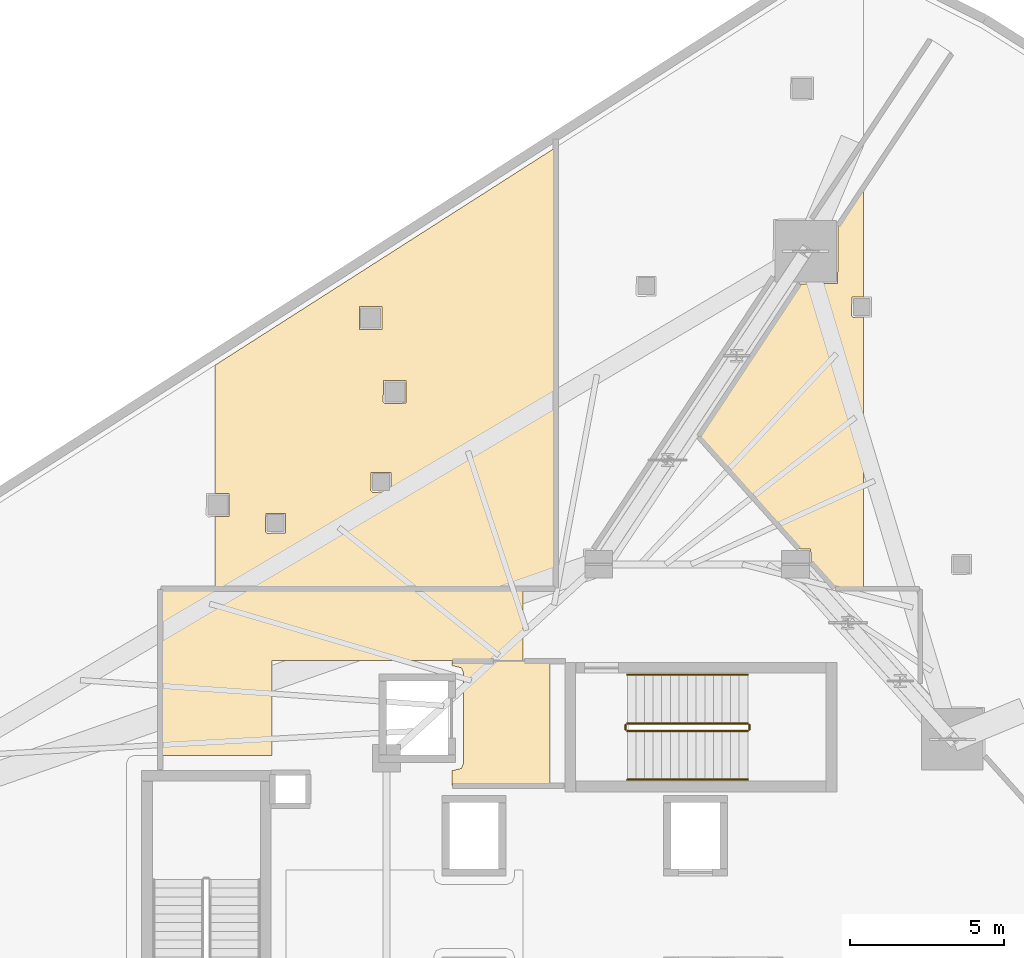
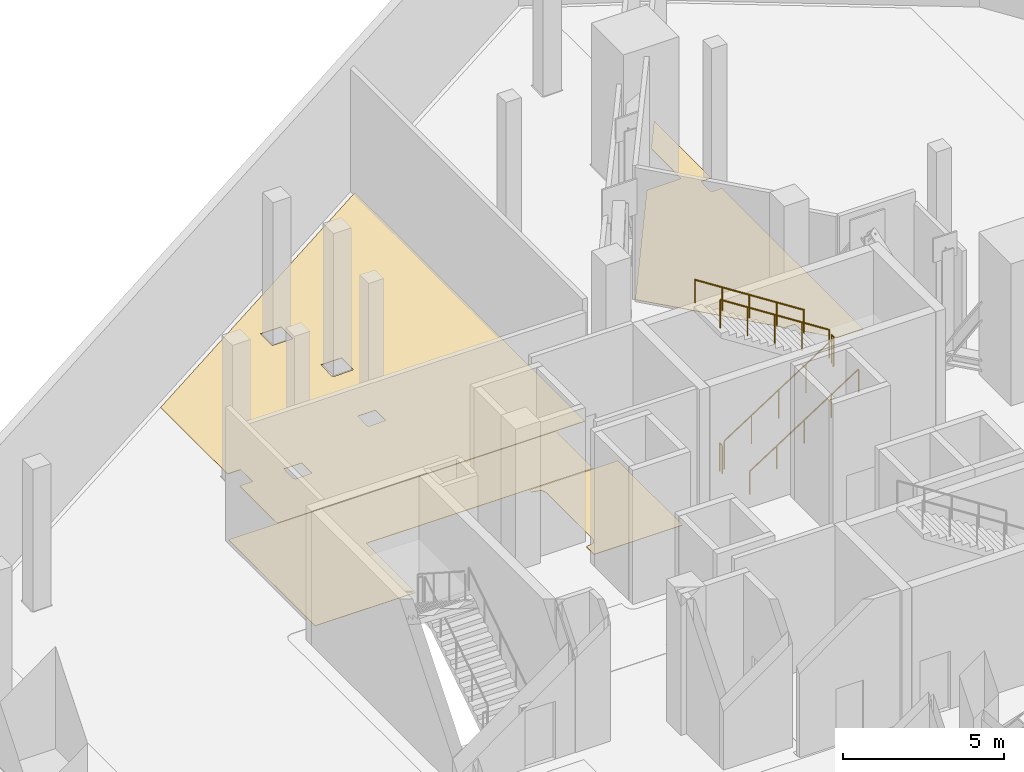
# One storey, part 12 of 13: 6 railings, 4 coverings.
"""IFC4 building model written with IfcOpenShell, lengths in metres."""

from ifc_helpers import new_model, si_unit, direction, frame, origin, origin_2d, place, context, subcontext, project, spatial, polyline, circle, outline, extrude, material, layer, layer_set, type_object, element, save


model = new_model("IFC4")

# Units and contexts
model_context = context("Model", 3, precision=1e-05, world=origin(), true_north=direction((0.0, 1.0)))
body_context = subcontext(model_context, "Body", "Model", "MODEL_VIEW")
ifc_project = project(units=[si_unit("LENGTHUNIT", "METRE"), si_unit("AREAUNIT", "SQUARE_METRE"), si_unit("VOLUMEUNIT", "CUBIC_METRE"), si_unit("PLANEANGLEUNIT", "RADIAN"), si_unit("MASSUNIT", "GRAM", prefix="KILO")], contexts=[model_context])

# Site, building, storey
site_placement = place(None, origin())
site = spatial("IfcSite", under=ifc_project, at=site_placement, CompositionType="ELEMENT")
building_placement = place(site_placement, origin())
building = spatial("IfcBuilding", under=site, at=building_placement, Name="Qorvath Tower", CompositionType="ELEMENT")
storey_placement = place(building_placement, frame((0.0, 0.0, 174.60009765625)))
storey = spatial("IfcBuildingStorey", under=building, at=storey_placement, Name="L40", CompositionType="ELEMENT", Elevation=174.60009765625)

# Coverings
ifc_material_1 = material(Name="Low-VOC modular carpet tile", Category="textile")
ifc_layer_1 = layer(ifc_material_1, 0.014892578125)
ifc_layer_set_1 = layer_set([ifc_layer_1], Name="COV-FLOOR-CPT")
covering_type_1 = type_object("IfcCoveringType", Name="COV-FLOOR-CPT", PredefinedType="FLOORING", material=ifc_layer_set_1)
covering_1_placement = place(storey_placement, origin())
element("IfcCovering", 1, at=covering_1_placement, inside=storey, type_object=covering_type_1, Name="L40 Floor Finish 008", PredefinedType="FLOORING", context=body_context, shape_type="SweptSolid", body=[
    extrude(outline(polyline([(-25.0048828125, 10.6630859375), (-25.0048828125, 25.0009765625), (-36.082763671875, 17.9208984375), (-36.082763671875, 13.748291015625), (-35.61328125, 13.748291015625), (-35.61328125, 13.013427734375), (-36.082763671875, 13.00146484375), (-36.082763671875, 10.6630859375), (-25.0048828125, 10.6630859375)]), holes=[polyline([(-30.60986328125, 16.734619140625), (-30.59228515625, 17.427001953125), (-29.857421875, 17.427001953125), (-29.857421875, 16.692138671875), (-30.5498046875, 16.674560546875), (-30.60986328125, 16.734619140625)]), polyline([(-31.01220703125, 13.849365234375), (-30.99462890625, 14.441650390625), (-30.35986328125, 14.441650390625), (-30.35986328125, 13.806884765625), (-30.9521484375, 13.789306640625), (-31.01220703125, 13.849365234375)]), polyline([(-31.383544921875, 19.093017578125), (-31.383544921875, 19.827880859375), (-30.648681640625, 19.827880859375), (-30.648681640625, 19.093017578125), (-31.383544921875, 19.093017578125)]), polyline([(-34.439208984375, 12.517578125), (-34.421630859375, 13.10986328125), (-33.786865234375, 13.10986328125), (-33.786865234375, 12.47509765625), (-34.379150390625, 12.45751953125), (-34.439208984375, 12.517578125)])]), origin(), (0.0, 0.0, 1.0), 0.014892578125),
])
covering_2_placement = place(storey_placement, origin())
element("IfcCovering", 2, at=covering_2_placement, inside=storey, type_object=covering_type_1, Name="L40 Floor Finish 010", PredefinedType="FLOORING", context=body_context, shape_type="SweptSolid", body=[
    extrude(outline(polyline([(-14.990966796875, 10.66259765625), (-14.990966796875, 19.492919921875), (-15.321044921875, 19.483154296875), (-15.381103515625, 19.543212890625), (-15.363525390625, 20.135498046875), (-14.990966796875, 20.135498046875), (-14.990966796875, 23.703369140625), (-15.811767578125, 22.459716796875), (-15.829345703125, 20.584716796875), (-17.0625, 20.567138671875), (-20.34814453125, 15.597900390625), (-17.08642578125, 11.9599609375), (-16.70751953125, 11.9423828125), (-16.68994140625, 11.517822265625), (-15.923583984375, 10.6630859375), (-14.990966796875, 10.66259765625)])), origin(), (0.0, 0.0, 1.0), 0.014892578125),
])
ifc_material_2 = material(Name="Polished epoxy terrazzo flooring", Category="concrete")
ifc_layer_2 = layer(ifc_material_2, 0.02001953125)
ifc_layer_set_2 = layer_set([ifc_layer_2], Name="COV-FLOOR-TRZ")
covering_type_2 = type_object("IfcCoveringType", Name="COV-FLOOR-TRZ", PredefinedType="FLOORING", material=ifc_layer_set_2)
covering_3_placement = place(storey_placement, origin())
element("IfcCovering", 3, at=covering_3_placement, inside=storey, type_object=covering_type_2, Name="L40 Floor Finish 001", PredefinedType="FLOORING", context=body_context, shape_type="SweptSolid", body=[
    extrude(outline(polyline([(-25.18994140625, 4.2548828125), (-25.18994140625, 8.294921875), (-28.375, 8.294921875), (-28.375, 8.159912109375), (-28.063232421875, 8.086669921875), (-27.989990234375, 7.909912109375), (-27.989990234375, 4.989990234375), (-28.063232421875, 4.813232421875), (-28.375, 4.739990234375), (-28.375, 4.2548828125), (-25.18994140625, 4.2548828125)])), origin(), (0.0, 0.0, 1.0), 0.014892578125),
])
covering_4_placement = place(storey_placement, origin())
element("IfcCovering", 4, at=covering_4_placement, inside=storey, type_object=covering_type_2, Name="L40 Floor Finish 004", PredefinedType="FLOORING", context=body_context, shape_type="SweptSolid", body=[
    extrude(outline(polyline([(-26.06494140625, 8.324951171875), (-26.06494140625, 10.64501953125), (-37.844970703125, 10.64501953125), (-37.844970703125, 5.239990234375), (-34.22509765625, 5.239990234375), (-34.219970703125, 8.324951171875), (-26.06494140625, 8.324951171875)])), origin(), (0.0, 0.0, 1.0), 0.014892578125),
])

# Railings
ifc_material_3 = material(Name="Painted galvanised steel", Category="steel")
railing_type_1 = type_object("IfcRailingType", Name="RL-STR-GRD", PredefinedType="GUARDRAIL", material=ifc_material_3)
railing_1_placement = place(storey_placement, frame((-22.669921875, 6.030029296875, 0.179931640625)))
element("IfcRailing", 5, at=railing_1_placement, inside=storey, type_object=railing_type_1, Name="L40 TS1 stair guard 1", PredefinedType="GUARDRAIL", context=body_context, shape_type="SweptSolid", body=[
    extrude(circle(Radius=0.02392578125, at=origin_2d()), frame((0.0, 0.0, 1.076171875), z_axis=(0.841171666519, 0.0, 0.540768182723), x_axis=(0.0, 1.0, 0.0)), (0.0, 0.0, 1.0), 4.66015625),
    extrude(circle(Radius=0.02099609375, at=origin_2d()), origin(), (0.0, 0.0, 1.0), 1.052001953125),
    extrude(circle(Radius=0.02099609375, at=origin_2d()), frame((0.97998046875, 0.0, 0.6298828125)), (0.0, 0.0, 1.0), 1.052001953125),
    extrude(circle(Radius=0.02099609375, at=origin_2d()), frame((1.9599609375, 0.0, 1.260009765625)), (0.0, 0.0, 1.0), 1.052001953125),
    extrude(circle(Radius=0.02099609375, at=origin_2d()), frame((2.93994140625, 0.0, 1.89013671875)), (0.0, 0.0, 1.0), 1.052001953125),
    extrude(circle(Radius=0.02099609375, at=origin_2d()), frame((3.919921875, 0.0, 2.52001953125)), (0.0, 0.0, 1.0), 1.052001953125),
])
railing_2_placement = place(storey_placement, frame((-18.699951171875, 6.080078125, 2.699951171875)))
element("IfcRailing", 6, at=railing_2_placement, inside=storey, type_object=railing_type_1, Name="L40 TS1 stair guard 2", PredefinedType="GUARDRAIL", context=body_context, shape_type="SweptSolid", body=[
    extrude(circle(Radius=0.02392578125, at=origin_2d()), frame((0.0, 0.0, 1.076171875), z_axis=(0.0, 1.0, 0.0), x_axis=(-1.0, 0.0, 0.0)), (0.0, 0.0, 1.0), 0.14990234375),
    extrude(circle(Radius=0.02099609375, at=origin_2d()), origin(), (0.0, 0.0, 1.0), 1.052001953125),
    extrude(circle(Radius=0.02099609375, at=origin_2d()), frame((0.0, 0.14990234375, 0.0)), (0.0, 0.0, 1.0), 1.052001953125),
])
railing_3_placement = place(storey_placement, frame((-18.75, 6.280029296875, 2.8798828125)))
element("IfcRailing", 7, at=railing_3_placement, inside=storey, type_object=railing_type_1, Name="L40 TS1 stair guard 3", PredefinedType="GUARDRAIL", context=body_context, shape_type="SweptSolid", body=[
    extrude(circle(Radius=0.02392578125, at=origin_2d()), frame((0.0, 0.0, 1.076171875), z_axis=(-0.841171666519, 0.0, 0.540768182723), x_axis=(0.0, -1.0, 0.0)), (0.0, 0.0, 1.0), 4.66015625),
    extrude(circle(Radius=0.02099609375, at=origin_2d()), origin(), (0.0, 0.0, 1.0), 1.052001953125),
    extrude(circle(Radius=0.02099609375, at=origin_2d()), frame((-0.97998046875, 0.0, 0.6298828125)), (0.0, 0.0, 1.0), 1.052001953125),
    extrude(circle(Radius=0.02099609375, at=origin_2d()), frame((-1.9599609375, 0.0, 1.260009765625)), (0.0, 0.0, 1.0), 1.052001953125),
    extrude(circle(Radius=0.02099609375, at=origin_2d()), frame((-2.93994140625, 0.0, 1.89013671875)), (0.0, 0.0, 1.0), 1.052001953125),
    extrude(circle(Radius=0.02099609375, at=origin_2d()), frame((-3.919921875, 0.0, 2.52001953125)), (0.0, 0.0, 1.0), 1.052001953125),
])
railing_4_placement = place(storey_placement, frame((-22.719970703125, 6.080078125, 0.0)))
element("IfcRailing", 8, at=railing_4_placement, inside=storey, type_object=railing_type_1, Name="L40 TS1 stair guard 4", PredefinedType="GUARDRAIL", context=body_context, shape_type="SweptSolid", body=[
    extrude(circle(Radius=0.02392578125, at=origin_2d()), frame((0.0, 0.0, 1.076171875), z_axis=(0.0, 1.0, 0.0), x_axis=(-1.0, 0.0, 0.0)), (0.0, 0.0, 1.0), 0.14990234375),
    extrude(circle(Radius=0.02099609375, at=origin_2d()), origin(), (0.0, 0.0, 1.0), 1.052001953125),
    extrude(circle(Radius=0.02099609375, at=origin_2d()), frame((0.0, 0.14990234375, 0.0)), (0.0, 0.0, 1.0), 1.052001953125),
])
ifc_material_4 = material(Name="Brushed stainless steel AISI 304", Category="steel")
railing_type_2 = type_object("IfcRailingType", Name="RL-STR-HND", PredefinedType="HANDRAIL", material=ifc_material_4)
railing_5_placement = place(storey_placement, frame((-22.669921875, 4.449951171875, 0.179931640625)))
element("IfcRailing", 9, at=railing_5_placement, inside=storey, type_object=railing_type_2, Name="L40 TS1 stair handrail 1", PredefinedType="HANDRAIL", context=body_context, shape_type="SweptSolid", body=[
    extrude(circle(Radius=0.02392578125, at=origin_2d()), frame((0.0, 0.0, 0.8759765625), z_axis=(0.841171666519, 0.0, 0.540768182723), x_axis=(0.0, 1.0, 0.0)), (0.0, 0.0, 1.0), 4.66015625),
    extrude(circle(Radius=0.02099609375, at=origin_2d()), origin(), (0.0, 0.0, 1.0), 0.851806640625),
    extrude(circle(Radius=0.02099609375, at=origin_2d()), frame((0.97998046875, 0.0, 0.6298828125)), (0.0, 0.0, 1.0), 0.851806640625),
    extrude(circle(Radius=0.02099609375, at=origin_2d()), frame((1.9599609375, 0.0, 1.260009765625)), (0.0, 0.0, 1.0), 0.851806640625),
    extrude(circle(Radius=0.02099609375, at=origin_2d()), frame((2.93994140625, 0.0, 1.89013671875)), (0.0, 0.0, 1.0), 0.851806640625),
    extrude(circle(Radius=0.02099609375, at=origin_2d()), frame((3.919921875, 0.0, 2.52001953125)), (0.0, 0.0, 1.0), 0.851806640625),
])
railing_6_placement = place(storey_placement, frame((-18.75, 7.860107421875, 2.8798828125)))
element("IfcRailing", 10, at=railing_6_placement, inside=storey, type_object=railing_type_2, Name="L40 TS1 stair handrail 2", PredefinedType="HANDRAIL", context=body_context, shape_type="SweptSolid", body=[
    extrude(circle(Radius=0.02392578125, at=origin_2d()), frame((0.0, 0.0, 0.8759765625), z_axis=(-0.841171666519, 0.0, 0.540768182723), x_axis=(0.0, -1.0, 0.0)), (0.0, 0.0, 1.0), 4.66015625),
    extrude(circle(Radius=0.02099609375, at=origin_2d()), origin(), (0.0, 0.0, 1.0), 0.851806640625),
    extrude(circle(Radius=0.02099609375, at=origin_2d()), frame((-0.97998046875, 0.0, 0.6298828125)), (0.0, 0.0, 1.0), 0.851806640625),
    extrude(circle(Radius=0.02099609375, at=origin_2d()), frame((-1.9599609375, 0.0, 1.260009765625)), (0.0, 0.0, 1.0), 0.851806640625),
    extrude(circle(Radius=0.02099609375, at=origin_2d()), frame((-2.93994140625, 0.0, 1.89013671875)), (0.0, 0.0, 1.0), 0.851806640625),
    extrude(circle(Radius=0.02099609375, at=origin_2d()), frame((-3.919921875, 0.0, 2.52001953125)), (0.0, 0.0, 1.0), 0.851806640625),
])

save(model, "model.ifc")
